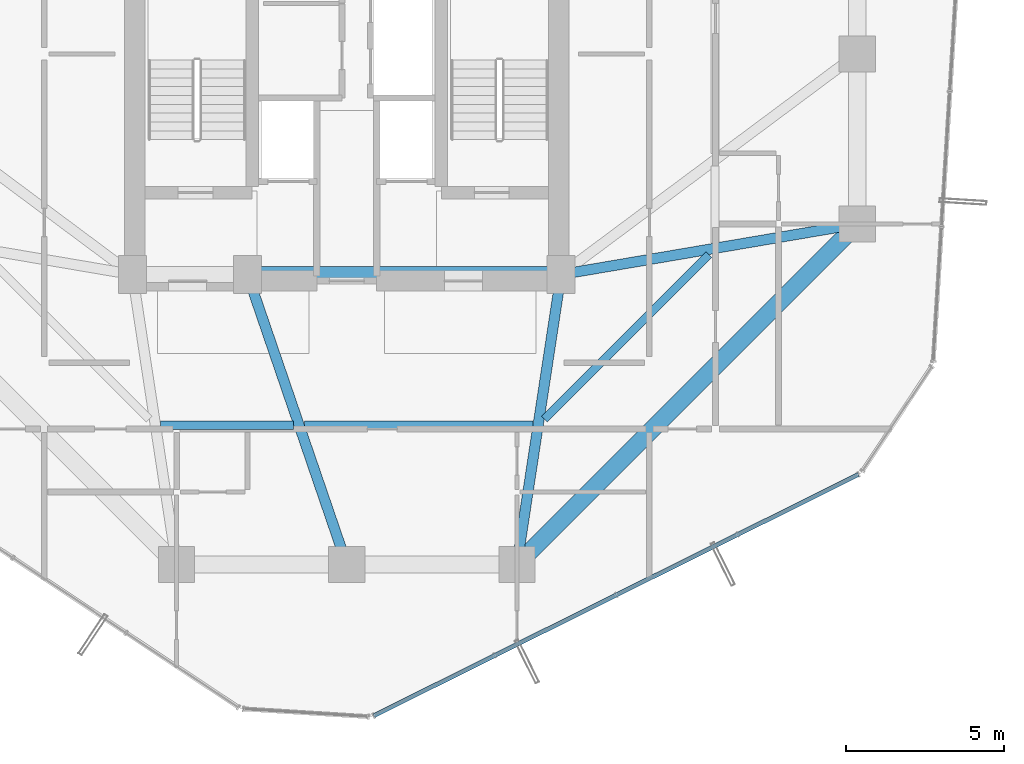
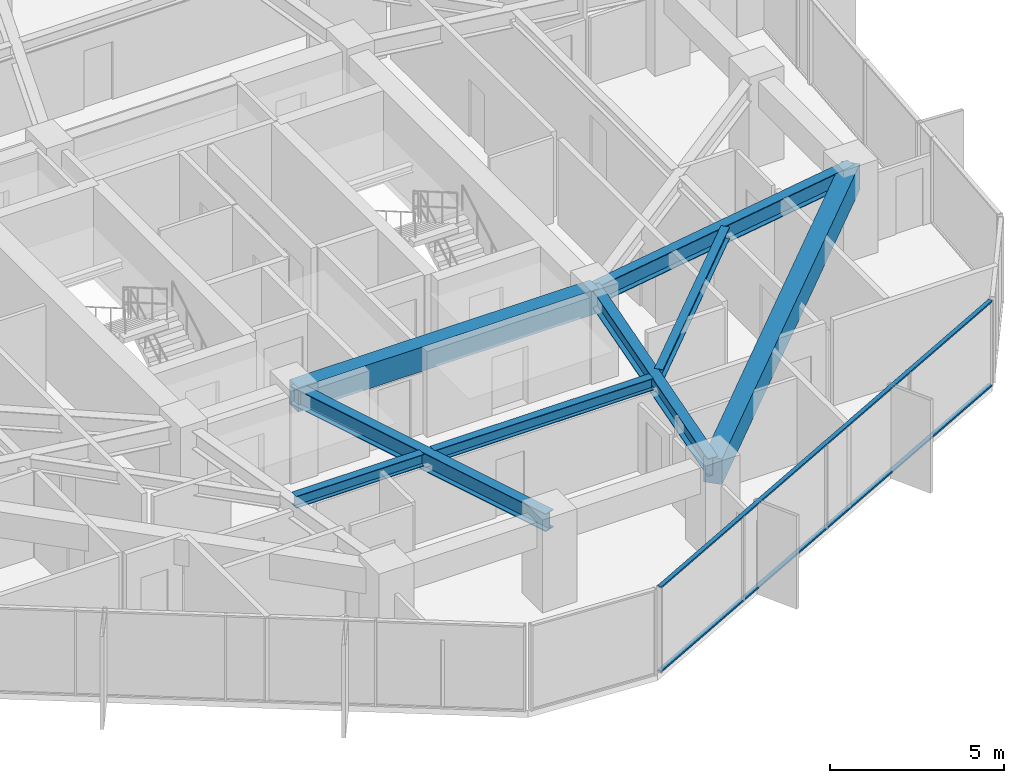
# One storey, part 7 of 30: 8 beams, 2 members, 1 element without a shape of its own.
"""IFC4 building model written with IfcOpenShell, lengths in metres."""

from ifc_helpers import new_model, si_unit, direction, frame, origin, origin_2d, place, context, subcontext, project, spatial, rectangle, hollow_rectangle, i_section, extrude, source, transform, mapped, material, layer, layer_set, material_profile, profile_set, type_object, element, aggregate, save


model = new_model("IFC4")

# Units and contexts
model_context = context("Model", 3, precision=1e-05, world=origin(), true_north=direction((0.0, 1.0)))
body_context = subcontext(model_context, "Body", "Model", "MODEL_VIEW")
ifc_project = project(units=[si_unit("LENGTHUNIT", "METRE"), si_unit("AREAUNIT", "SQUARE_METRE"), si_unit("VOLUMEUNIT", "CUBIC_METRE"), si_unit("PLANEANGLEUNIT", "RADIAN"), si_unit("MASSUNIT", "GRAM", prefix="KILO")], contexts=[model_context])

# Site, building, storey
site_placement = place(None, origin())
site = spatial("IfcSite", under=ifc_project, at=site_placement, CompositionType="ELEMENT")
building_placement = place(site_placement, origin())
building = spatial("IfcBuilding", under=site, at=building_placement, Name="Veraguas Prism Commons", CompositionType="ELEMENT")
storey_placement = place(building_placement, frame((0.0, 0.0, 116.5)))
storey = spatial("IfcBuildingStorey", under=building, at=storey_placement, Name="L32", CompositionType="ELEMENT", Elevation=116.5)

# Beams
ifc_material_1 = material(Name="Concrete C50/60", Category="concrete")
ifc_material_profile_1 = material_profile(ifc_material_1, rectangle(XDim=0.5, YDim=0.85009765625, at=origin_2d()), Name="RC500X850")
ifc_profile_set_1 = profile_set([ifc_material_profile_1], Name="Concrete C50/60")
beam_type_1 = type_object("IfcBeamType", Name="Core Coupling Beam RC 500x850", PredefinedType="BEAM", material=ifc_profile_set_1)
beam_1_placement = place(storey_placement, frame((20.85009765625, 17.0, 2.574951171875), z_axis=(1.0, 0.0, 0.0), x_axis=(0.0, 1.0, 0.0)))
element("IfcBeam", 1, at=beam_1_placement, inside=storey, type_object=beam_type_1, Name="Core Coupling Beam L32-CRS2", PredefinedType="BEAM", context=body_context, shape_type="SweptSolid", body=[
    extrude(rectangle(XDim=0.5, YDim=0.85009765625, at=origin_2d()), origin(), (0.0, 0.0, 1.0), 9.949951171875),
])
ifc_material_2 = material(Name="Steel ASTM A992 Grade 50", Category="steel")
ifc_material_profile_2 = material_profile(ifc_material_2, i_section(OverallWidth=0.260986328125, OverallDepth=0.419921875, WebThickness=0.01171875, FlangeThickness=0.019287109375, at=origin_2d()), Name="W410X114")
ifc_profile_set_2 = profile_set([ifc_material_profile_2], Name="Steel ASTM A992 Grade 50")
beam_type_2 = type_object("IfcBeamType", Name="Lower Floor Joist W410x114", PredefinedType="JOIST", material=ifc_profile_set_2)
beam_2_placement = place(storey_placement, frame((18.091796875, 12.216064453125, 2.7900390625), z_axis=(1.0, 0.0, 0.0), x_axis=(0.0, 1.0, 0.0)))
element("IfcBeam", 2, at=beam_2_placement, inside=storey, type_object=beam_type_2, Name="Composite Floor Joist L32-JS10", PredefinedType="JOIST", context=body_context, shape_type="SweptSolid", body=[
    extrude(i_section(OverallWidth=0.260986328125, OverallDepth=0.419921875, WebThickness=0.01171875, FlangeThickness=0.019287109375, at=origin_2d()), origin(), (0.0, 0.0, 1.0), 4.22509765625),
])
beam_3_placement = place(storey_placement, frame((22.6591796875, 12.216064453125, 2.7900390625), z_axis=(1.0, 0.0, 0.0), x_axis=(0.0, 1.0, 0.0)))
element("IfcBeam", 3, at=beam_3_placement, inside=storey, type_object=beam_type_2, Name="Composite Floor Joist L32-JS11", PredefinedType="JOIST", context=body_context, shape_type="SweptSolid", body=[
    extrude(i_section(OverallWidth=0.260986328125, OverallDepth=0.419921875, WebThickness=0.01171875, FlangeThickness=0.019287109375, at=origin_2d()), origin(), (0.0, 0.0, 1.0), 7.2490234375),
])
beam_4_placement = place(storey_placement, frame((30.265380859375, 12.4091796875, 2.7900390625), z_axis=(0.707090260193, 0.707123301794, 0.0), x_axis=(-0.707123301794, 0.707090260193, 0.0)))
element("IfcBeam", 4, at=beam_4_placement, inside=storey, type_object=beam_type_2, Name="Composite Floor Joist L32-JS12", PredefinedType="JOIST", context=body_context, shape_type="SweptSolid", body=[
    extrude(i_section(OverallWidth=0.260986328125, OverallDepth=0.419921875, WebThickness=0.01171875, FlangeThickness=0.019287109375, at=origin_2d()), origin(), (0.0, 0.0, 1.0), 7.388916015625),
])
ifc_material_profile_3 = material_profile(ifc_material_1, rectangle(XDim=0.550048828125, YDim=0.89990234375, at=origin_2d()), Name="RC550X900")
ifc_profile_set_3 = profile_set([ifc_material_profile_3], Name="Concrete C50/60")
beam_type_3 = type_object("IfcBeamType", Name="Perimeter Spandrel Lower RC 550x900", PredefinedType="SPANDREL", material=ifc_profile_set_3)
beam_5_placement = place(storey_placement, frame((29.39990234375, 7.800048828125, 2.550048828125), z_axis=(0.707106781187, 0.707106781187, 0.0), x_axis=(-0.707106781187, 0.707106781187, 0.0)))
element("IfcBeam", 5, at=beam_5_placement, inside=storey, type_object=beam_type_3, Name="Perimeter Spandrel Beam L32-SP12", PredefinedType="SPANDREL", context=body_context, shape_type="SweptSolid", body=[
    extrude(rectangle(XDim=0.550048828125, YDim=0.89990234375, at=origin_2d()), origin(), (0.0, 0.0, 1.0), 15.273681640625),
])
ifc_material_profile_4 = material_profile(ifc_material_2, i_section(OverallWidth=0.327880859375, OverallDepth=0.6220703125, WebThickness=0.015380859375, FlangeThickness=0.0244140625, at=origin_2d()), Name="W610X195")
ifc_profile_set_4 = profile_set([ifc_material_profile_4], Name="Steel ASTM A992 Grade 50")
beam_type_4 = type_object("IfcBeamType", Name="Zone 2 Radial Girder W610x195", PredefinedType="BEAM", material=ifc_profile_set_4)
beam_6_placement = place(storey_placement, frame((40.199951171875, 18.60009765625, 2.68896484375), z_axis=(-0.985819187151, -0.1678109956, 0.0), x_axis=(0.1678109956, -0.985819187151, 0.0)))
element("IfcBeam", 6, at=beam_6_placement, inside=storey, type_object=beam_type_4, Name="Radial Floor Girder L32-RD01", PredefinedType="BEAM", context=body_context, shape_type="SweptSolid", body=[
    extrude(i_section(OverallWidth=0.327880859375, OverallDepth=0.6220703125, WebThickness=0.015380859375, FlangeThickness=0.0244140625, at=origin_2d()), origin(), (0.0, 0.0, 1.0), 9.53515625),
])
beam_7_placement = place(storey_placement, frame((24.0, 7.800048828125, 2.68896484375), z_axis=(-0.323922482989, 0.946083624747, 0.0), x_axis=(-0.946083624747, -0.323922482989, 0.0)))
element("IfcBeam", 7, at=beam_7_placement, inside=storey, type_object=beam_type_4, Name="Radial Floor Girder L32-RD11", PredefinedType="BEAM", context=body_context, shape_type="SweptSolid", body=[
    extrude(i_section(OverallWidth=0.327880859375, OverallDepth=0.6220703125, WebThickness=0.015380859375, FlangeThickness=0.0244140625, at=origin_2d()), origin(), (0.0, 0.0, 1.0), 9.724365234375),
])
beam_8_placement = place(storey_placement, frame((29.39990234375, 7.800048828125, 2.68896484375), z_axis=(0.150458162136, 0.98861637729, 0.0), x_axis=(-0.98861637729, 0.150458162136, 0.0)))
element("IfcBeam", 8, at=beam_8_placement, inside=storey, type_object=beam_type_4, Name="Radial Floor Girder L32-RD12", PredefinedType="BEAM", context=body_context, shape_type="SweptSolid", body=[
    extrude(i_section(OverallWidth=0.327880859375, OverallDepth=0.6220703125, WebThickness=0.015380859375, FlangeThickness=0.0244140625, at=origin_2d()), origin(), (0.0, 0.0, 1.0), 9.305908203125),
])

# Curtain wall, members
ifc_material_3 = material(Name="Anodised aluminium EN AW-6063 T6", Category="aluminium")
ifc_layer = layer(ifc_material_3, 0.169921875, Name="Unitised Flush Curtain Wall Zone 2", Category="aluminium")
ifc_layer_set = layer_set([ifc_layer], Name="Anodised aluminium EN AW-6063 T6")
curtain_wall_type = type_object("IfcCurtainWallType", Name="Unitised Flush Curtain Wall Zone 2", PredefinedType="NOTDEFINED", material=ifc_layer_set)
curtain_wall_placement = place(storey_placement, origin())
curtain_wall = element("IfcCurtainWall", 9, at=curtain_wall_placement, inside=storey, type_object=curtain_wall_type, Name="Tower Facade Curtain Wall L32-F5", PredefinedType="NOTDEFINED")
ifc_material_profile_5 = material_profile(ifc_material_3, hollow_rectangle(XDim=0.054931640625, YDim=0.135009765625, WallThickness=0.0029296875, at=origin_2d()), Name="AL55X135X3")
ifc_profile_set_5 = profile_set([ifc_material_profile_5], Name="Anodised aluminium EN AW-6063 T6")
member_type = type_object("IfcMemberType", Name="Curtain Wall Transom Standard AL 55x135x3", PredefinedType="USERDEFINED", material=ifc_profile_set_5)
shared_shape = source(origin(), body_context, "Body", "SweptSolid", [
    extrude(hollow_rectangle(XDim=0.054931640625, YDim=0.135009765625, WallThickness=0.0029296875, at=origin_2d()), origin(), (0.0, 0.0, 1.0), 17.17431640625),
])
member_1_placement = place(storey_placement, frame((24.859619140625, 3.000732421875, 0.027587890625), z_axis=(0.895241664755, 0.44558092608, 0.0), x_axis=(0.0, 0.0, 1.0)))
member_1 = element("IfcMember", 10, at=member_1_placement, type_object=member_type, Name="CW-Z2 Transom 1", ObjectType="TRANSOM", PredefinedType="USERDEFINED", context=body_context, shape_type="MappedRepresentation", body=[
    mapped(shared_shape, transform((0.0, 0.0, 0.0), scale=1.0)),
])
member_2_placement = place(storey_placement, frame((24.859619140625, 3.000732421875, 2.972412109375), z_axis=(0.895241664755, 0.44558092608, 0.0), x_axis=(0.0, 0.0, 1.0)))
member_2 = element("IfcMember", 11, at=member_2_placement, type_object=member_type, Name="CW-Z2 Transom 2", ObjectType="TRANSOM", PredefinedType="USERDEFINED", context=body_context, shape_type="MappedRepresentation", body=[
    mapped(shared_shape, transform((0.0, 0.0, 0.0), scale=1.0)),
])
aggregate(curtain_wall, [member_1, member_2])

save(model, "model.ifc")
